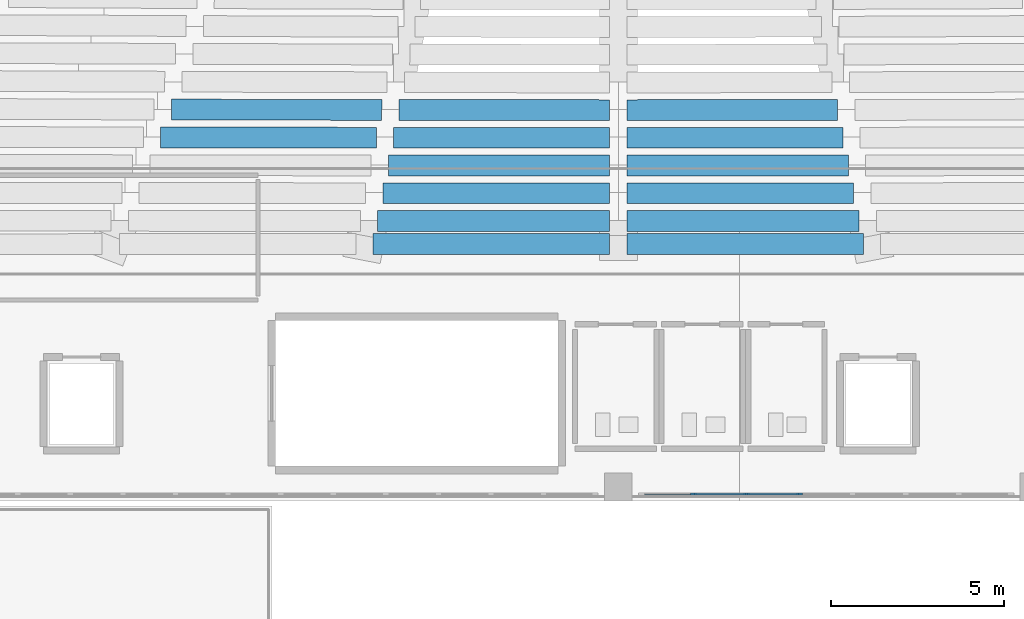
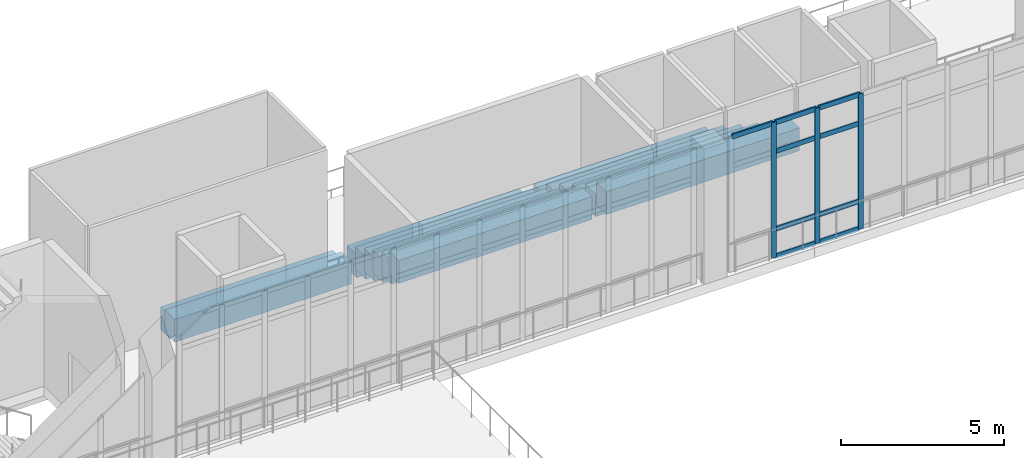
# One storey, part 8 of 55: 14 beams, 12 members, 1 element without a shape of its own.
"""IFC4 building model written with IfcOpenShell, lengths in metres."""

from ifc_helpers import new_model, si_unit, derived_unit, direction, frame, origin, origin_2d, place, context, subcontext, project, spatial, rectangle, extrude, material, layer, layer_set, material_profile, profile_set, type_object, element, aggregate, save


model = new_model("IFC4")

# Units and contexts
model_context = context("Model", 3, precision=1e-05, world=origin(), true_north=direction((0.0, 1.0)))
body_context = subcontext(model_context, "Body", "Model", "MODEL_VIEW")
ifc_project = project(units=[si_unit("LENGTHUNIT", "METRE"), si_unit("AREAUNIT", "SQUARE_METRE"), si_unit("VOLUMEUNIT", "CUBIC_METRE"), si_unit("PLANEANGLEUNIT", "RADIAN"), si_unit("MASSUNIT", "GRAM", prefix="KILO"), derived_unit("THERMALTRANSMITTANCEUNIT", [(si_unit("MASSUNIT", "GRAM", prefix="KILO"), 1), (si_unit("TIMEUNIT", "SECOND"), -3), (si_unit("THERMODYNAMICTEMPERATUREUNIT", "KELVIN"), -1)])], contexts=[model_context])

# Site, building, storey
site_placement = place(None, origin())
site = spatial("IfcSite", under=ifc_project, at=site_placement, CompositionType="ELEMENT")
building_placement = place(site_placement, origin())
building = spatial("IfcBuilding", under=site, at=building_placement, Name="Valcora Ridge Arena", CompositionType="ELEMENT")
storey_placement = place(building_placement, frame((0.0, 0.0, 21.0)))
storey = spatial("IfcBuildingStorey", under=building, at=storey_placement, Name="L04", CompositionType="ELEMENT", Elevation=21.0)

# Beams
ifc_material_1 = material(Name="Concrete C40/50", Category="concrete")
ifc_material_profile_1 = material_profile(ifc_material_1, rectangle(XDim=0.60009765625, YDim=0.85009765625, at=origin_2d()), Name="RC 600x850")
ifc_profile_set_1 = profile_set([ifc_material_profile_1], Name="Concrete C40/50")
beam_type = type_object("IfcBeamType", Name="TY-BEAM-B-RC600-X", PredefinedType="BEAM", material=ifc_profile_set_1)
beam_1_placement = place(storey_placement, frame((45.09228515625, 31.2978515625, -3.905029296875), z_axis=(0.999997982127, -0.002008915549, 0.0), x_axis=(0.002008915549, 0.999997982127, 0.0)))
element("IfcBeam", 1, at=beam_1_placement, inside=storey, type_object=beam_type, Name="B-RC600-X BEM-RU3-B-RC600-X-0370", PredefinedType="BEAM", context=body_context, shape_type="SweptSolid", body=[
    extrude(rectangle(XDim=0.60009765625, YDim=0.85009765625, at=origin_2d()), origin(), (0.0, 0.0, 1.0), 6.076416015625),
])
for number, where, z_axis, x_axis, name in (
    (2, (51.668701171875, 31.284912109375, -3.905029296875), (0.999999709086, -0.000762776285, 0.0), (0.000762776285, 0.999999709086, 0.0), "B-RC600-X BEM-RU3-B-RC600-X-0371"),
    (3, (58.25, 31.2802734375, -3.905029296875), (0.999999709086, 0.000762776285, 0.0), (-0.000762776285, 0.999999709086, 0.0), "B-RC600-X BEM-RU3-B-RC600-X-0372"),
):
    element("IfcBeam", number, at=place(storey_placement, frame(where, z_axis=z_axis, x_axis=x_axis)), inside=storey, type_object=beam_type, Name=name, PredefinedType="BEAM", context=body_context, shape_type="SweptSolid", body=[
        extrude(rectangle(XDim=0.60009765625, YDim=0.85009765625, at=origin_2d()), origin(), (0.0, 0.0, 1.0), 6.081298828125),
    ])
beam_2_placement = place(storey_placement, frame((44.7822265625, 30.494384765625, -3.425048828125), z_axis=(0.999998772211, -0.001567027771, 0.0), x_axis=(0.001567027771, 0.999998772211, 0.0)))
element("IfcBeam", 4, at=beam_2_placement, inside=storey, type_object=beam_type, Name="B-RC600-X BEM-RU3-B-RC600-X-0400", PredefinedType="BEAM", context=body_context, shape_type="SweptSolid", body=[
    extrude(rectangle(XDim=0.60009765625, YDim=0.85009765625, at=origin_2d()), origin(), (0.0, 0.0, 1.0), 6.23193359375),
])
for number, where, z_axis, x_axis, name in (
    (5, (51.51416015625, 30.48388671875, -3.425048828125), (0.999999827558, -0.000587267928, 0.0), (0.000587267928, 0.999999827558, 0.0), "B-RC600-X BEM-RU3-B-RC600-X-0401"),
    (6, (58.25, 30.480224609375, -3.425048828125), (0.999999827558, 0.000587267928, 0.0), (-0.000587267928, 0.999999827558, 0.0), "B-RC600-X BEM-RU3-B-RC600-X-0402"),
):
    element("IfcBeam", number, at=place(storey_placement, frame(where, z_axis=z_axis, x_axis=x_axis)), inside=storey, type_object=beam_type, Name=name, PredefinedType="BEAM", context=body_context, shape_type="SweptSolid", body=[
        extrude(rectangle(XDim=0.60009765625, YDim=0.85009765625, at=origin_2d()), origin(), (0.0, 0.0, 1.0), 6.23583984375),
    ])
for number, where, z_axis, x_axis, name in (
    (7, (51.359619140625, 29.682861328125, -2.945068359375), (0.999999911696, -0.000420248291, 0.0), (0.000420248291, 0.999999911696, 0.0), "B-RC600-X BEM-RU3-B-RC600-X-0433"),
    (8, (58.25, 29.68017578125, -2.945068359375), (0.999999911696, 0.000420248291, 0.0), (-0.000420248291, 0.999999911696, 0.0), "B-RC600-X BEM-RU3-B-RC600-X-0434"),
):
    element("IfcBeam", number, at=place(storey_placement, frame(where, z_axis=z_axis, x_axis=x_axis)), inside=storey, type_object=beam_type, Name=name, PredefinedType="BEAM", context=body_context, shape_type="SweptSolid", body=[
        extrude(rectangle(XDim=0.60009765625, YDim=0.85009765625, at=origin_2d()), origin(), (0.0, 0.0, 1.0), 6.390380859375),
    ])
for number, where, z_axis, x_axis, name in (
    (9, (51.205078125, 28.8818359375, -2.465087890625), (0.999999965909, -0.000261116076, 0.0), (0.000261116076, 0.999999965909, 0.0), "B-RC600-X BEM-RU3-B-RC600-X-0465"),
    (10, (58.25, 28.880126953125, -2.465087890625), (0.999999965909, 0.000261116076, 0.0), (-0.000261116076, 0.999999965909, 0.0), "B-RC600-X BEM-RU3-B-RC600-X-0466"),
):
    element("IfcBeam", number, at=place(storey_placement, frame(where, z_axis=z_axis, x_axis=x_axis)), inside=storey, type_object=beam_type, Name=name, PredefinedType="BEAM", context=body_context, shape_type="SweptSolid", body=[
        extrude(rectangle(XDim=0.60009765625, YDim=0.85009765625, at=origin_2d()), origin(), (0.0, 0.0, 1.0), 6.544921875),
    ])
for number, where, z_axis, x_axis, name in (
    (11, (51.050537109375, 28.0810546875, -1.985107421875), (0.999999989376, -0.000145767281, 0.0), (0.000145767281, 0.999999989376, 0.0), "B-RC600-X BEM-RU3-B-RC600-X-0497"),
    (12, (58.25, 28.080078125, -1.985107421875), (0.999999989376, 0.000145767281, 0.0), (-0.000145767281, 0.999999989376, 0.0), "B-RC600-X BEM-RU3-B-RC600-X-0498"),
):
    element("IfcBeam", number, at=place(storey_placement, frame(where, z_axis=z_axis, x_axis=x_axis)), inside=storey, type_object=beam_type, Name=name, PredefinedType="BEAM", context=body_context, shape_type="SweptSolid", body=[
        extrude(rectangle(XDim=0.60009765625, YDim=0.85009765625, at=origin_2d()), origin(), (0.0, 0.0, 1.0), 6.699462890625),
    ])
for number, where, z_axis, x_axis, name in (
    (13, (50.921875, 27.413818359375, -1.5048828125), (0.999999994247, 0.000107265446, 0.0), (-0.000107265446, 0.999999994247, 0.0), "B-RC600-X BEM-RU3-B-RC600-X-0529"),
    (14, (58.25, 27.41455078125, -1.5048828125), (0.999999994247, -0.000107265446, 0.0), (0.000107265446, 0.999999994247, 0.0), "B-RC600-X BEM-RU3-B-RC600-X-0530"),
):
    element("IfcBeam", number, at=place(storey_placement, frame(where, z_axis=z_axis, x_axis=x_axis)), inside=storey, type_object=beam_type, Name=name, PredefinedType="BEAM", context=body_context, shape_type="SweptSolid", body=[
        extrude(rectangle(XDim=0.60009765625, YDim=0.85009765625, at=origin_2d()), origin(), (0.0, 0.0, 1.0), 6.828125),
    ])

# Curtain wall, members
ifc_material_2 = material(Name="Anodised dark bronze architectural aluminium 6063-T6", Category="aluminium")
ifc_layer = layer(ifc_material_2, 0.179931640625, Name="Anodised dark bronze architectural aluminium 6063-T6")
ifc_layer_set = layer_set([ifc_layer], Name="Anodised dark bronze architectural aluminium 6063-T6")
curtain_wall_type = type_object("IfcCurtainWallType", Name="TY-CURTAINWALL-CW-V1-GOTH-107X51", PredefinedType="NOTDEFINED", material=ifc_layer_set)
curtain_wall_placement = place(storey_placement, origin())
curtain_wall = element("IfcCurtainWall", 15, at=curtain_wall_placement, inside=storey, type_object=curtain_wall_type, Name="CW-V1-GOTH-107X51 CW-0155", PredefinedType="NOTDEFINED")
ifc_material_profile_2 = material_profile(ifc_material_2, rectangle(XDim=0.06005859375, YDim=0.179931640625, at=origin_2d()), Name="ALU MULLION 60x180")
ifc_profile_set_2 = profile_set([ifc_material_profile_2], Name="Anodised dark bronze architectural aluminium 6063-T6")
member_type_1 = type_object("IfcMemberType", Name="TY-MEM-CWM-60x180", PredefinedType="MULLION", material=ifc_profile_set_2)
member_1_placement = place(storey_placement, frame((60.17138671875, 20.199951171875, 0.0), z_axis=(0.0, 0.0, 1.0), x_axis=(0.0, 1.0, 0.0)))
member_1 = element("IfcMember", 16, at=member_1_placement, type_object=member_type_1, Name="CW-0155/CWM-60x180/M01", PredefinedType="MULLION", context=body_context, shape_type="SweptSolid", body=[
    extrude(rectangle(XDim=0.06005859375, YDim=0.179931640625, at=origin_2d()), origin(), (0.0, 0.0, 1.0), 5.06005859375),
])
member_2_placement = place(storey_placement, frame((61.702880859375, 20.199951171875, 0.0), z_axis=(0.0, 0.0, 1.0), x_axis=(0.0, 1.0, 0.0)))
member_2 = element("IfcMember", 17, at=member_2_placement, type_object=member_type_1, Name="CW-0155/CWM-60x180/M02", PredefinedType="MULLION", context=body_context, shape_type="SweptSolid", body=[
    extrude(rectangle(XDim=0.06005859375, YDim=0.179931640625, at=origin_2d()), origin(), (0.0, 0.0, 1.0), 5.06005859375),
])
member_3_placement = place(storey_placement, frame((63.234375, 20.199951171875, 0.0), z_axis=(0.0, 0.0, 1.0), x_axis=(0.0, 1.0, 0.0)))
member_3 = element("IfcMember", 18, at=member_3_placement, type_object=member_type_1, Name="CW-0155/CWM-60x180/M03", PredefinedType="MULLION", context=body_context, shape_type="SweptSolid", body=[
    extrude(rectangle(XDim=0.06005859375, YDim=0.179931640625, at=origin_2d()), origin(), (0.0, 0.0, 1.0), 5.06005859375),
])
ifc_material_profile_3 = material_profile(ifc_material_2, rectangle(XDim=0.06005859375, YDim=0.179931640625, at=origin_2d()), Name="ALU TRANSOM 60x180")
ifc_profile_set_3 = profile_set([ifc_material_profile_3], Name="Anodised dark bronze architectural aluminium 6063-T6")
member_type_2 = type_object("IfcMemberType", Name="TY-MEM-CWT-60x180", PredefinedType="USERDEFINED", material=ifc_profile_set_3)
member_4_placement = place(storey_placement, frame((58.699951171875, 20.199951171875, 5.030029296875), z_axis=(1.0, 0.0, 0.0), x_axis=(0.0, 1.0, 0.0)))
member_4 = element("IfcMember", 19, at=member_4_placement, type_object=member_type_2, Name="CW-0155/CWT-60x180/T00-03", ObjectType="TRANSOM", PredefinedType="USERDEFINED", context=body_context, shape_type="SweptSolid", body=[
    extrude(rectangle(XDim=0.06005859375, YDim=0.179931640625, at=origin_2d()), origin(), (0.0, 0.0, 1.0), 1.441162109375),
])
member_5_placement = place(storey_placement, frame((60.200927734375, 20.199951171875, 0.030029296875), z_axis=(1.0, 0.0, 0.0), x_axis=(0.0, 1.0, 0.0)))
member_5 = element("IfcMember", 20, at=member_5_placement, type_object=member_type_2, Name="CW-0155/CWT-60x180/T01-00", ObjectType="TRANSOM", PredefinedType="USERDEFINED", context=body_context, shape_type="SweptSolid", body=[
    extrude(rectangle(XDim=0.06005859375, YDim=0.179931640625, at=origin_2d()), origin(), (0.0, 0.0, 1.0), 1.47216796875),
])
member_6_placement = place(storey_placement, frame((60.200927734375, 20.199951171875, 1.050048828125), z_axis=(1.0, 0.0, 0.0), x_axis=(0.0, 1.0, 0.0)))
member_6 = element("IfcMember", 21, at=member_6_placement, type_object=member_type_2, Name="CW-0155/CWT-60x180/T01-01", ObjectType="TRANSOM", PredefinedType="USERDEFINED", context=body_context, shape_type="SweptSolid", body=[
    extrude(rectangle(XDim=0.06005859375, YDim=0.179931640625, at=origin_2d()), origin(), (0.0, 0.0, 1.0), 1.47216796875),
])
member_7_placement = place(storey_placement, frame((60.200927734375, 20.199951171875, 3.9599609375), z_axis=(1.0, 0.0, 0.0), x_axis=(0.0, 1.0, 0.0)))
member_7 = element("IfcMember", 22, at=member_7_placement, type_object=member_type_2, Name="CW-0155/CWT-60x180/T01-02", ObjectType="TRANSOM", PredefinedType="USERDEFINED", context=body_context, shape_type="SweptSolid", body=[
    extrude(rectangle(XDim=0.06005859375, YDim=0.179931640625, at=origin_2d()), origin(), (0.0, 0.0, 1.0), 1.47216796875),
])
member_8_placement = place(storey_placement, frame((60.200927734375, 20.199951171875, 5.030029296875), z_axis=(1.0, 0.0, 0.0), x_axis=(0.0, 1.0, 0.0)))
member_8 = element("IfcMember", 23, at=member_8_placement, type_object=member_type_2, Name="CW-0155/CWT-60x180/T01-03", ObjectType="TRANSOM", PredefinedType="USERDEFINED", context=body_context, shape_type="SweptSolid", body=[
    extrude(rectangle(XDim=0.06005859375, YDim=0.179931640625, at=origin_2d()), origin(), (0.0, 0.0, 1.0), 1.47216796875),
])
member_9_placement = place(storey_placement, frame((61.73291015625, 20.199951171875, 0.030029296875), z_axis=(1.0, 0.0, 0.0), x_axis=(0.0, 1.0, 0.0)))
member_9 = element("IfcMember", 24, at=member_9_placement, type_object=member_type_2, Name="CW-0155/CWT-60x180/T02-00", ObjectType="TRANSOM", PredefinedType="USERDEFINED", context=body_context, shape_type="SweptSolid", body=[
    extrude(rectangle(XDim=0.06005859375, YDim=0.179931640625, at=origin_2d()), origin(), (0.0, 0.0, 1.0), 1.47119140625),
])
member_10_placement = place(storey_placement, frame((61.73291015625, 20.199951171875, 1.050048828125), z_axis=(1.0, 0.0, 0.0), x_axis=(0.0, 1.0, 0.0)))
member_10 = element("IfcMember", 25, at=member_10_placement, type_object=member_type_2, Name="CW-0155/CWT-60x180/T02-01", ObjectType="TRANSOM", PredefinedType="USERDEFINED", context=body_context, shape_type="SweptSolid", body=[
    extrude(rectangle(XDim=0.06005859375, YDim=0.179931640625, at=origin_2d()), origin(), (0.0, 0.0, 1.0), 1.47119140625),
])
member_11_placement = place(storey_placement, frame((61.73291015625, 20.199951171875, 3.9599609375), z_axis=(1.0, 0.0, 0.0), x_axis=(0.0, 1.0, 0.0)))
member_11 = element("IfcMember", 26, at=member_11_placement, type_object=member_type_2, Name="CW-0155/CWT-60x180/T02-02", ObjectType="TRANSOM", PredefinedType="USERDEFINED", context=body_context, shape_type="SweptSolid", body=[
    extrude(rectangle(XDim=0.06005859375, YDim=0.179931640625, at=origin_2d()), origin(), (0.0, 0.0, 1.0), 1.47119140625),
])
member_12_placement = place(storey_placement, frame((61.73291015625, 20.199951171875, 5.030029296875), z_axis=(1.0, 0.0, 0.0), x_axis=(0.0, 1.0, 0.0)))
member_12 = element("IfcMember", 27, at=member_12_placement, type_object=member_type_2, Name="CW-0155/CWT-60x180/T02-03", ObjectType="TRANSOM", PredefinedType="USERDEFINED", context=body_context, shape_type="SweptSolid", body=[
    extrude(rectangle(XDim=0.06005859375, YDim=0.179931640625, at=origin_2d()), origin(), (0.0, 0.0, 1.0), 1.47119140625),
])
aggregate(curtain_wall, [member_1, member_2, member_3, member_4, member_5, member_6, member_7, member_8, member_9, member_10, member_11, member_12])

save(model, "model.ifc")
